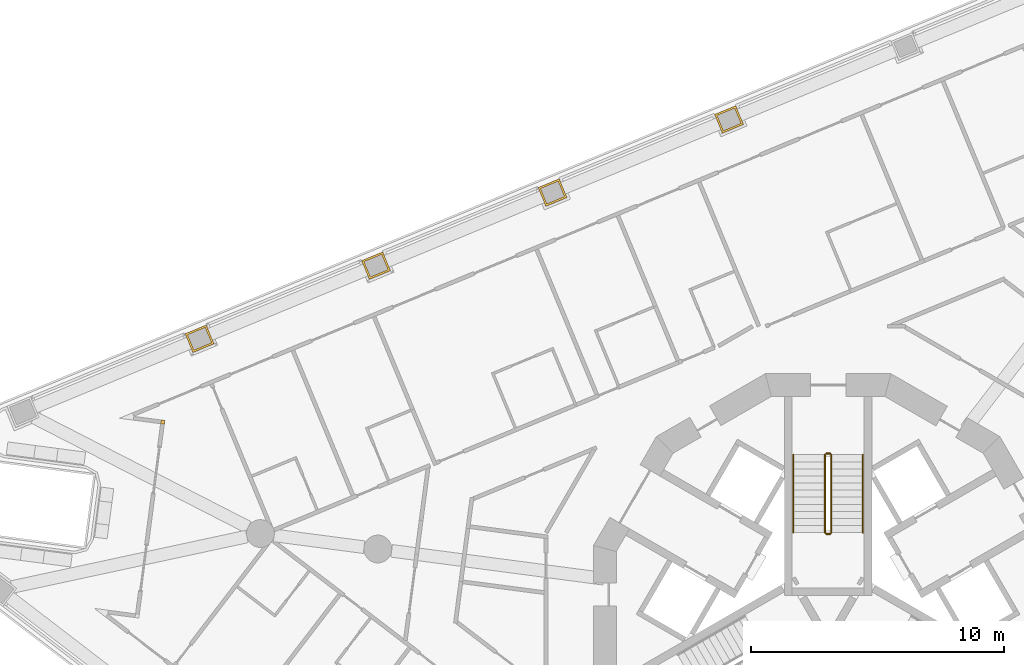
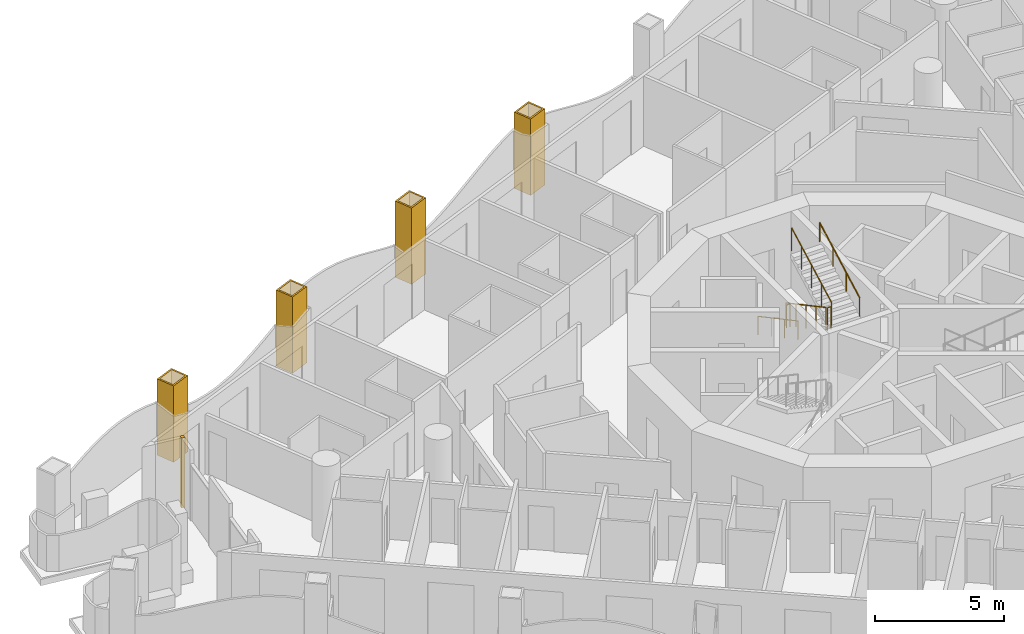
# One storey, part 15 of 17: 6 railings, 5 coverings.
"""IFC4 building model written with IfcOpenShell, lengths in metres."""

from ifc_helpers import new_model, si_unit, direction, frame, origin, origin_2d, place, context, subcontext, project, spatial, polyline, circle, outline, extrude, material, layer, layer_set, type_object, element, save


model = new_model("IFC4")

# Units and contexts
model_context = context("Model", 3, precision=1e-05, world=origin(), true_north=direction((0.0, 1.0)))
body_context = subcontext(model_context, "Body", "Model", "MODEL_VIEW")
ifc_project = project(units=[si_unit("LENGTHUNIT", "METRE"), si_unit("AREAUNIT", "SQUARE_METRE"), si_unit("VOLUMEUNIT", "CUBIC_METRE"), si_unit("PLANEANGLEUNIT", "RADIAN"), si_unit("MASSUNIT", "GRAM", prefix="KILO")], contexts=[model_context])

# Site, building, storey
site_placement = place(None, origin())
site = spatial("IfcSite", under=ifc_project, at=site_placement, CompositionType="ELEMENT")
building_placement = place(site_placement, origin())
building = spatial("IfcBuilding", under=site, at=building_placement, Name="Trine Commons Tower", CompositionType="ELEMENT")
storey_placement = place(building_placement, frame((0.0, 0.0, 149.39990234375)))
storey = spatial("IfcBuildingStorey", under=building, at=storey_placement, Name="L38", CompositionType="ELEMENT", Elevation=149.39990234375)

# Coverings
ifc_material_1 = material(Name="Aluminium-framed insulated wall panel", Category="aluminium")
ifc_layer_1 = layer(ifc_material_1, 0.14990234375)
ifc_layer_set_1 = layer_set([ifc_layer_1], Name="Aluminium-framed insulated wall panel")
covering_type_1 = type_object("IfcCoveringType", Name="Glazing corner post, aluminium", PredefinedType="CLADDING", material=ifc_layer_set_1)
covering_1_placement = place(storey_placement, origin())
element("IfcCovering", 1, at=covering_1_placement, inside=storey, type_object=covering_type_1, Name="Glazing corner post 4-03", PredefinedType="CLADDING", context=body_context, shape_type="SweptSolid", body=[
    extrude(outline(polyline([(53.610107421875, 69.797119140625), (53.7587890625, 69.77734375), (53.778564453125, 69.926025390625), (53.6298828125, 69.94580078125), (53.610107421875, 69.797119140625)])), origin(), (0.0, 0.0, 1.0), 3.300048828125),
])
ifc_material_2 = material(Name="Limestone, honed", Category="masonry")
ifc_layer_2 = layer(ifc_material_2, 0.074951171875)
ifc_layer_set_2 = layer_set([ifc_layer_2], Name="Limestone, honed")
covering_type_2 = type_object("IfcCoveringType", Name="Limestone column cladding 75", PredefinedType="CLADDING", material=ifc_layer_set_2)
covering_2_placement = place(storey_placement, origin())
element("IfcCovering", 2, at=covering_2_placement, inside=storey, type_object=covering_type_2, Name="Limestone pier cladding 4-10", PredefinedType="CLADDING", context=body_context, shape_type="SweptSolid", body=[
    extrude(outline(polyline([(55.719970703125, 72.957763671875), (55.413818359375, 73.69677734375), (54.582275390625, 73.352294921875), (54.888427734375, 72.61328125), (55.719970703125, 72.957763671875)]), holes=[polyline([(55.621826171875, 72.998291015625), (55.373291015625, 73.598876953125), (54.680419921875, 73.311767578125), (54.928955078125, 72.711181640625), (55.621826171875, 72.998291015625)])]), origin(), (0.0, 0.0, 1.0), 3.60009765625),
])
covering_3_placement = place(storey_placement, origin())
element("IfcCovering", 3, at=covering_3_placement, inside=storey, type_object=covering_type_2, Name="Limestone pier cladding 4-11", PredefinedType="CLADDING", context=body_context, shape_type="SweptSolid", body=[
    extrude(outline(polyline([(62.697021484375, 75.84765625), (62.390869140625, 76.5869140625), (61.559326171875, 76.2421875), (61.865478515625, 75.503173828125), (62.697021484375, 75.84765625)]), holes=[polyline([(62.59912109375, 75.88818359375), (62.350341796875, 76.48876953125), (61.657470703125, 76.201904296875), (61.906005859375, 75.601318359375), (62.59912109375, 75.88818359375)])]), origin(), (0.0, 0.0, 1.0), 3.60009765625),
])
covering_4_placement = place(storey_placement, origin())
element("IfcCovering", 4, at=covering_4_placement, inside=storey, type_object=covering_type_2, Name="Limestone pier cladding 4-12", PredefinedType="CLADDING", context=body_context, shape_type="SweptSolid", body=[
    extrude(outline(polyline([(69.674072265625, 78.73779296875), (69.367919921875, 79.476806640625), (68.53662109375, 79.13232421875), (68.842529296875, 78.393310546875), (69.674072265625, 78.73779296875)]), holes=[polyline([(69.576171875, 78.7783203125), (69.327392578125, 79.37890625), (68.634521484375, 79.091796875), (68.88330078125, 78.4912109375), (69.576171875, 78.7783203125)])]), origin(), (0.0, 0.0, 1.0), 3.60009765625),
])
covering_5_placement = place(storey_placement, origin())
element("IfcCovering", 5, at=covering_5_placement, inside=storey, type_object=covering_type_2, Name="Limestone pier cladding 4-13", PredefinedType="CLADDING", context=body_context, shape_type="SweptSolid", body=[
    extrude(outline(polyline([(76.651123046875, 81.627685546875), (76.34521484375, 82.366943359375), (75.513671875, 82.0224609375), (75.819580078125, 81.283203125), (76.651123046875, 81.627685546875)]), holes=[polyline([(76.55322265625, 81.668212890625), (76.304443359375, 82.268798828125), (75.611572265625, 81.98193359375), (75.8603515625, 81.38134765625), (76.55322265625, 81.668212890625)])]), origin(), (0.0, 0.0, 1.0), 3.60009765625),
])

# Railings
ifc_material_3 = material(Name="Stainless steel balustrade", Category="steel")
railing_type_1 = type_object("IfcRailingType", Name="Stair guard, steel balustrade 1100", PredefinedType="GUARDRAIL", material=ifc_material_3)
railing_1_placement = place(storey_placement, frame((79.875, 68.570556640625, 0.150146484375)))
element("IfcRailing", 6, at=railing_1_placement, inside=storey, type_object=railing_type_1, Name="L38 ST1B stair guard 1", PredefinedType="GUARDRAIL", context=body_context, shape_type="SweptSolid", body=[
    extrude(circle(Radius=0.02392578125, at=origin_2d()), frame((0.0, 0.0, 1.076171875), z_axis=(0.0, -0.881496589024, 0.472190389079), x_axis=(1.0, 0.0, 0.0)), (0.0, 0.0, 1.0), 3.494140625),
    extrude(circle(Radius=0.02099609375, at=origin_2d()), origin(), (0.0, 0.0, 1.0), 1.052001953125),
    extrude(circle(Radius=0.02099609375, at=origin_2d()), frame((0.0, -0.77001953125, 0.41259765625)), (0.0, 0.0, 1.0), 1.052001953125),
    extrude(circle(Radius=0.02099609375, at=origin_2d()), frame((0.0, -1.5400390625, 0.824951171875)), (0.0, 0.0, 1.0), 1.052001953125),
    extrude(circle(Radius=0.02099609375, at=origin_2d()), frame((0.0, -2.31005859375, 1.2373046875)), (0.0, 0.0, 1.0), 1.052001953125),
    extrude(circle(Radius=0.02099609375, at=origin_2d()), frame((0.0, -3.080078125, 1.64990234375)), (0.0, 0.0, 1.0), 1.052001953125),
])
railing_2_placement = place(storey_placement, frame((79.925048828125, 65.440673828125, 1.800048828125)))
element("IfcRailing", 7, at=railing_2_placement, inside=storey, type_object=railing_type_1, Name="L38 ST1B stair guard 2", PredefinedType="GUARDRAIL", context=body_context, shape_type="SweptSolid", body=[
    extrude(circle(Radius=0.02392578125, at=origin_2d()), frame((0.0, 0.0, 1.076171875), z_axis=(1.0, 0.0, 0.0), x_axis=(0.0, 1.0, 0.0)), (0.0, 0.0, 1.0), 0.14990234375),
    extrude(circle(Radius=0.02099609375, at=origin_2d()), origin(), (0.0, 0.0, 1.0), 1.052001953125),
    extrude(circle(Radius=0.02099609375, at=origin_2d()), frame((0.14990234375, 0.0, 0.0)), (0.0, 0.0, 1.0), 1.052001953125),
])
railing_3_placement = place(storey_placement, frame((80.125, 65.490478515625, 1.9501953125)))
element("IfcRailing", 8, at=railing_3_placement, inside=storey, type_object=railing_type_1, Name="L38 ST1B stair guard 3", PredefinedType="GUARDRAIL", context=body_context, shape_type="SweptSolid", body=[
    extrude(circle(Radius=0.02392578125, at=origin_2d()), frame((0.0, 0.0, 1.076171875), z_axis=(0.0, 0.881496589024, 0.472190389079), x_axis=(-1.0, 0.0, 0.0)), (0.0, 0.0, 1.0), 3.494140625),
    extrude(circle(Radius=0.02099609375, at=origin_2d()), origin(), (0.0, 0.0, 1.0), 1.052001953125),
    extrude(circle(Radius=0.02099609375, at=origin_2d()), frame((0.0, 0.77001953125, 0.41259765625)), (0.0, 0.0, 1.0), 1.052001953125),
    extrude(circle(Radius=0.02099609375, at=origin_2d()), frame((0.0, 1.5400390625, 0.824951171875)), (0.0, 0.0, 1.0), 1.052001953125),
    extrude(circle(Radius=0.02099609375, at=origin_2d()), frame((0.0, 2.31005859375, 1.2373046875)), (0.0, 0.0, 1.0), 1.052001953125),
    extrude(circle(Radius=0.02099609375, at=origin_2d()), frame((0.0, 3.080078125, 1.64990234375)), (0.0, 0.0, 1.0), 1.052001953125),
])
railing_4_placement = place(storey_placement, frame((79.925048828125, 68.62060546875, 0.0)))
element("IfcRailing", 9, at=railing_4_placement, inside=storey, type_object=railing_type_1, Name="L38 ST1B stair guard 4", PredefinedType="GUARDRAIL", context=body_context, shape_type="SweptSolid", body=[
    extrude(circle(Radius=0.02392578125, at=origin_2d()), frame((0.0, 0.0, 1.076171875), z_axis=(1.0, 0.0, 0.0), x_axis=(0.0, 1.0, 0.0)), (0.0, 0.0, 1.0), 0.14990234375),
    extrude(circle(Radius=0.02099609375, at=origin_2d()), origin(), (0.0, 0.0, 1.0), 1.052001953125),
    extrude(circle(Radius=0.02099609375, at=origin_2d()), frame((0.14990234375, 0.0, 0.0)), (0.0, 0.0, 1.0), 1.052001953125),
])
ifc_material_4 = material(Name="Stainless steel handrail", Category="steel")
railing_type_2 = type_object("IfcRailingType", Name="Stair handrail, steel 900", PredefinedType="HANDRAIL", material=ifc_material_4)
railing_5_placement = place(storey_placement, frame((78.625, 68.570556640625, 0.150146484375)))
element("IfcRailing", 10, at=railing_5_placement, inside=storey, type_object=railing_type_2, Name="L38 ST1B stair handrail 1", PredefinedType="HANDRAIL", context=body_context, shape_type="SweptSolid", body=[
    extrude(circle(Radius=0.02099609375, at=origin_2d()), frame((0.0, 0.0, 0.87890625), z_axis=(0.0, -0.881496589024, 0.472190389079), x_axis=(1.0, 0.0, 0.0)), (0.0, 0.0, 1.0), 3.494140625),
    extrude(circle(Radius=0.01513671875, at=origin_2d()), origin(), (0.0, 0.0, 1.0), 0.85791015625),
    extrude(circle(Radius=0.01513671875, at=origin_2d()), frame((0.0, -1.026611328125, 0.550048828125)), (0.0, 0.0, 1.0), 0.85791015625),
    extrude(circle(Radius=0.01513671875, at=origin_2d()), frame((0.0, -2.053466796875, 1.099853515625)), (0.0, 0.0, 1.0), 0.85791015625),
    extrude(circle(Radius=0.01513671875, at=origin_2d()), frame((0.0, -3.080078125, 1.64990234375)), (0.0, 0.0, 1.0), 0.85791015625),
])
railing_6_placement = place(storey_placement, frame((81.375, 65.490478515625, 1.9501953125)))
element("IfcRailing", 11, at=railing_6_placement, inside=storey, type_object=railing_type_2, Name="L38 ST1B stair handrail 2", PredefinedType="HANDRAIL", context=body_context, shape_type="SweptSolid", body=[
    extrude(circle(Radius=0.02099609375, at=origin_2d()), frame((0.0, 0.0, 0.87890625), z_axis=(0.0, 0.881496589024, 0.472190389079), x_axis=(-1.0, 0.0, 0.0)), (0.0, 0.0, 1.0), 3.494140625),
    extrude(circle(Radius=0.01513671875, at=origin_2d()), origin(), (0.0, 0.0, 1.0), 0.85791015625),
    extrude(circle(Radius=0.01513671875, at=origin_2d()), frame((0.0, 1.026611328125, 0.550048828125)), (0.0, 0.0, 1.0), 0.85791015625),
    extrude(circle(Radius=0.01513671875, at=origin_2d()), frame((0.0, 2.053466796875, 1.099853515625)), (0.0, 0.0, 1.0), 0.85791015625),
    extrude(circle(Radius=0.01513671875, at=origin_2d()), frame((0.0, 3.080078125, 1.64990234375)), (0.0, 0.0, 1.0), 0.85791015625),
])

save(model, "model.ifc")
